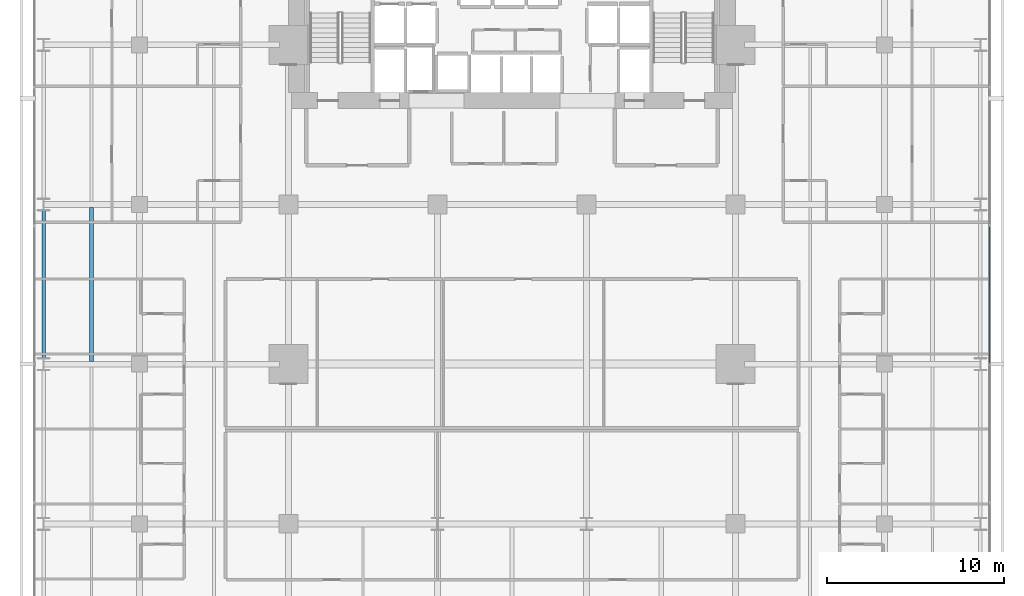
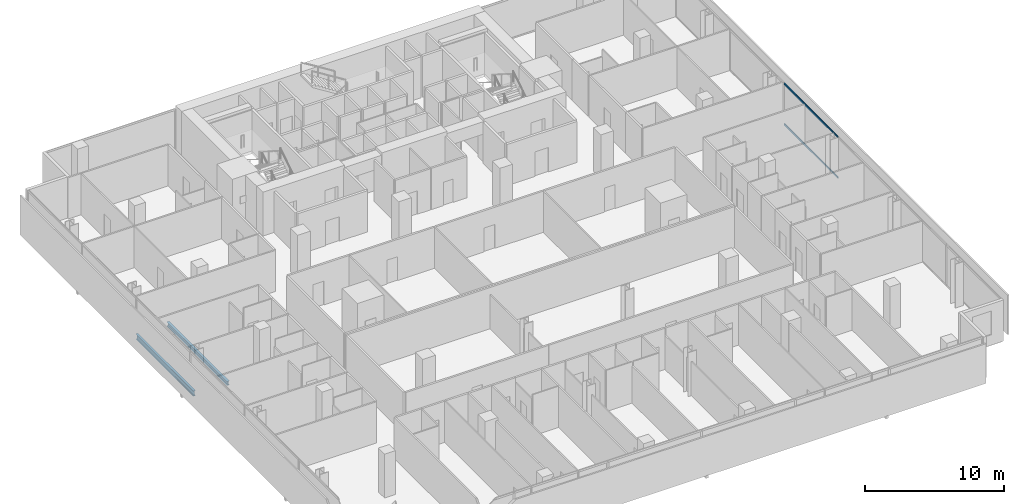
# One storey, part 20 of 40: 2 beams, 2 members, 1 element without a shape of its own.
"""IFC4 building model written with IfcOpenShell, lengths in metres."""

from ifc_helpers import new_model, si_unit, direction, frame, origin, origin_2d, place, context, subcontext, project, spatial, hollow_rectangle, i_section, extrude, material, layer, layer_set, material_profile, profile_set, type_object, element, aggregate, save


model = new_model("IFC4")

# Units and contexts
model_context = context("Model", 3, precision=1e-05, world=origin(), true_north=direction((0.0, 1.0)))
body_context = subcontext(model_context, "Body", "Model", "MODEL_VIEW")
ifc_project = project(units=[si_unit("LENGTHUNIT", "METRE"), si_unit("AREAUNIT", "SQUARE_METRE"), si_unit("VOLUMEUNIT", "CUBIC_METRE"), si_unit("PLANEANGLEUNIT", "RADIAN"), si_unit("MASSUNIT", "GRAM", prefix="KILO")], contexts=[model_context])

# Site, building, storey
site_placement = place(None, origin())
site = spatial("IfcSite", under=ifc_project, at=site_placement, CompositionType="ELEMENT")
building_placement = place(site_placement, origin())
building = spatial("IfcBuilding", under=site, at=building_placement, Name="Maruvema Waterfront Hotel and Observation Tower", CompositionType="ELEMENT")
storey_placement = place(building_placement, frame((0.0, 0.0, 38.5)))
storey = spatial("IfcBuildingStorey", under=building, at=storey_placement, Name="L08", CompositionType="ELEMENT", Elevation=38.5)

# Curtain wall, members
ifc_material_1 = material(Name="Anodised bronze aluminium and solar-control low-E IGU", Category="aluminium")
ifc_layer = layer(ifc_material_1, 0.159912109375, Name="Zone 1 Bronze Inner Thermal Curtain Wall System CW-02")
ifc_layer_set = layer_set([ifc_layer], Name="Anodised bronze aluminium and solar-control low-E IGU")
curtain_wall_type = type_object("IfcCurtainWallType", Name="Zone 1 Bronze Inner Thermal Curtain Wall System CW-02", PredefinedType="USERDEFINED", material=ifc_layer_set)
curtain_wall_placement = place(storey_placement, origin())
curtain_wall = element("IfcCurtainWall", 1, at=curtain_wall_placement, inside=storey, type_object=curtain_wall_type, Name="L08 Curtain Wall CW-L08-E", ObjectType="UNITISED CURTAIN WALL", PredefinedType="USERDEFINED")
ifc_material_2 = material(Name="Anodised architectural bronze aluminium", Category="aluminium")
ifc_material_profile_1 = material_profile(ifc_material_2, hollow_rectangle(XDim=0.070068359375, YDim=0.14990234375, WallThickness=0.00390625, at=origin_2d()), Name="ALU-T70x150")
ifc_profile_set_1 = profile_set([ifc_material_profile_1], Name="Anodised architectural bronze aluminium")
member_type = type_object("IfcMemberType", Name="Curtain Wall Horizontal Transom ALU-T70x150", PredefinedType="USERDEFINED", material=ifc_profile_set_1)
member_1_placement = place(storey_placement, frame((64.719970703125, 27.030029296875, 0.030029296875), z_axis=(0.0, 1.0, 0.0), x_axis=(-1.0, 0.0, 0.0)))
member_1 = element("IfcMember", 2, at=member_1_placement, type_object=member_type, Name="CW-02 transom 4.1", ObjectType="TRANSOM", PredefinedType="USERDEFINED", context=body_context, shape_type="SweptSolid", body=[
    extrude(hollow_rectangle(XDim=0.070068359375, YDim=0.14990234375, WallThickness=0.00390625, at=origin_2d()), origin(), (0.0, 0.0, 1.0), 7.739990234375),
])
member_2_placement = place(storey_placement, frame((64.719970703125, 27.030029296875, 3.580078125), z_axis=(0.0, 1.0, 0.0), x_axis=(-1.0, 0.0, 0.0)))
member_2 = element("IfcMember", 3, at=member_2_placement, type_object=member_type, Name="CW-02 transom 4.2", ObjectType="TRANSOM", PredefinedType="USERDEFINED", context=body_context, shape_type="SweptSolid", body=[
    extrude(hollow_rectangle(XDim=0.070068359375, YDim=0.14990234375, WallThickness=0.00390625, at=origin_2d()), origin(), (0.0, 0.0, 1.0), 7.739990234375),
])
aggregate(curtain_wall, [member_1, member_2])

# Beams
ifc_material_3 = material(Name="Steel ASTM A572 Grade 50", Category="steel")
ifc_material_profile_2 = material_profile(ifc_material_3, i_section(OverallWidth=0.18994140625, OverallDepth=0.45703125, WebThickness=0.009033203125, FlangeThickness=0.014404296875, FilletRadius=0.014892578125, at=origin_2d()), Name="W460x74.0")
ifc_profile_set_2 = profile_set([ifc_material_profile_2], Name="Steel ASTM A572 Grade 50")
beam_type_1 = type_object("IfcBeamType", Name="Perimeter Spandrel Beam W460x74.0", PredefinedType="SPANDREL", material=ifc_profile_set_2)
beam_1_placement = place(storey_placement, frame((11.39990234375, 27.35009765625, -0.468505859375), z_axis=(0.0, 1.0, 0.0), x_axis=(-1.0, 0.0, 0.0)))
element("IfcBeam", 4, at=beam_1_placement, inside=storey, type_object=beam_type_1, Name="L08 Floor Girder NS-03", PredefinedType="SPANDREL", context=body_context, shape_type="SweptSolid", body=[
    extrude(i_section(OverallWidth=0.18994140625, OverallDepth=0.45703125, WebThickness=0.009033203125, FlangeThickness=0.014404296875, FilletRadius=0.014892578125, at=origin_2d()), origin(), (0.0, 0.0, 1.0), 8.2998046875),
])
ifc_material_4 = material(Name="Steel ASTM A572 Grade 50", Category="steel")
ifc_material_profile_3 = material_profile(ifc_material_4, i_section(OverallWidth=0.202880859375, OverallDepth=0.346923828125, WebThickness=0.0078125, FlangeThickness=0.013427734375, FilletRadius=0.014892578125, at=origin_2d()), Name="W360x64.0")
ifc_profile_set_3 = profile_set([ifc_material_profile_3], Name="Steel ASTM A572 Grade 50")
beam_type_2 = type_object("IfcBeamType", Name="Secondary Floor Joist W360x64.0", PredefinedType="JOIST", material=ifc_profile_set_3)
beam_2_placement = place(storey_placement, frame((14.10009765625, 27.16357421875, -0.41357421875), z_axis=(0.0, 1.0, 0.0), x_axis=(-1.0, 0.0, 0.0)))
element("IfcBeam", 5, at=beam_2_placement, inside=storey, type_object=beam_type_2, Name="L08 Secondary Floor Joist JS-03", PredefinedType="JOIST", context=body_context, shape_type="SweptSolid", body=[
    extrude(i_section(OverallWidth=0.202880859375, OverallDepth=0.346923828125, WebThickness=0.0078125, FlangeThickness=0.013427734375, FilletRadius=0.014892578125, at=origin_2d()), origin(), (0.0, 0.0, 1.0), 8.6728515625),
])

save(model, "model.ifc")
